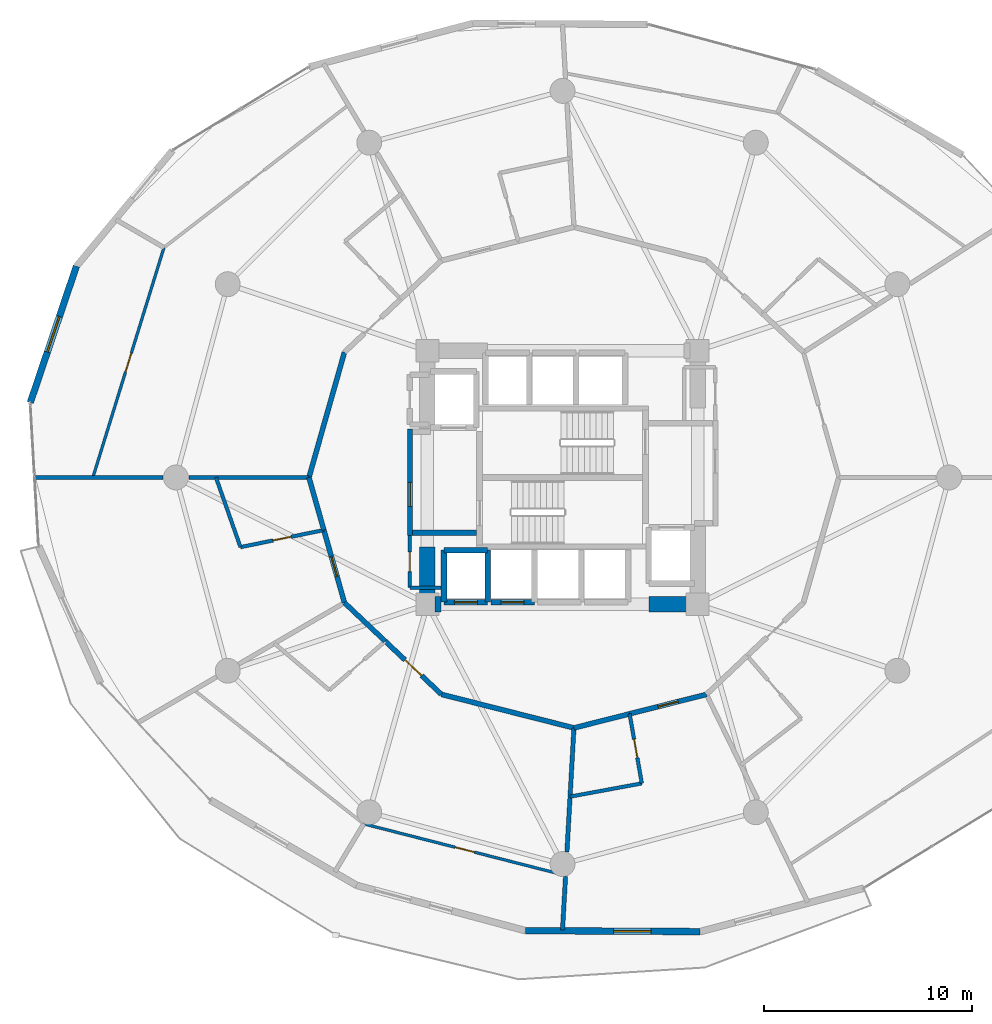
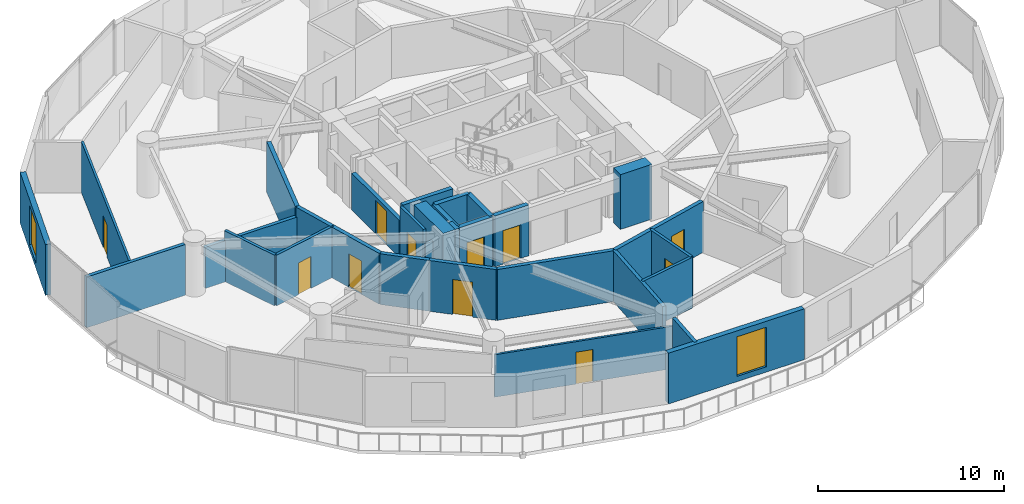
# One storey, part 17 of 23: 32 walls, 11 doors, 2 windows, 13 openings.
"""IFC4 building model written with IfcOpenShell, lengths in metres."""

from ifc_helpers import new_model, si_unit, direction, frame, frame_2d, origin, place, context, subcontext, project, spatial, rectangle, extrude, material, layer, layer_set, type_object, element, fill, save


model = new_model("IFC4")

# Units and contexts
model_context = context("Model", 3, precision=1e-05, world=origin(), true_north=direction((0.0, 1.0)))
body_context = subcontext(model_context, "Body", "Model", "MODEL_VIEW")
ifc_project = project(units=[si_unit("LENGTHUNIT", "METRE"), si_unit("AREAUNIT", "SQUARE_METRE"), si_unit("VOLUMEUNIT", "CUBIC_METRE"), si_unit("PLANEANGLEUNIT", "RADIAN"), si_unit("MASSUNIT", "GRAM", prefix="KILO")], contexts=[model_context])

# Site, building, storey
site_placement = place(None, origin())
site = spatial("IfcSite", under=ifc_project, at=site_placement, CompositionType="ELEMENT")
building_placement = place(site_placement, origin())
building = spatial("IfcBuilding", under=site, at=building_placement, Name="Solvirekh Grand Hotel", CompositionType="ELEMENT")
storey_placement = place(building_placement, frame((0.0, 0.0, 39.199951171875)))
storey = spatial("IfcBuildingStorey", under=building, at=storey_placement, Name="L08", CompositionType="ELEMENT", Elevation=39.199951171875)

# Wall, opening, door
ifc_material_1 = material(Name="Concrete C40/50", Category="concrete")
ifc_layer_1 = layer(ifc_material_1, 0.280029296875)
ifc_layer_set_1 = layer_set([ifc_layer_1], Name="Concrete C40/50")
wall_type_1 = type_object("IfcWallType", Name="CoreShaftWall_RC280", PredefinedType="SOLIDWALL", material=ifc_layer_set_1)
wall_1_placement = place(storey_placement, frame((-5.699951171875, -6.0, 0.0), z_axis=(0.0, 0.0, 1.0), x_axis=(1.0, 0.0, 0.0)))
wall_1 = element("IfcWall", 1, at=wall_1_placement, inside=storey, type_object=wall_type_1, Name="L08 LP-1 hoistway S wall", PredefinedType="SOLIDWALL", context=body_context, shape_type="SweptSolid", body=[
    extrude(rectangle(XDim=2.099853515625, YDim=0.280029296875, at=frame_2d((1.0498046875, 0.0))), origin(), (0.0, 0.0, 1.0), 3.340087890625),
])
opening_1_placement = place(wall_1_placement, frame((0.5, 0.0, 0.0)))
opening_1 = element("IfcOpeningElement", 2, at=opening_1_placement, cuts=wall_1, Name="Opening LD01", PredefinedType="OPENING", context=body_context, shape_type="SweptSolid", body=[
    extrude(rectangle(XDim=1.10009765625, YDim=2.199951171875, at=frame_2d((0.550048828125, 1.10009765625))), frame((0.0, 0.14990234375, 0.0), z_axis=(0.0, -1.0, 0.0), x_axis=(1.0, 0.0, 0.0)), (0.0, 0.0, 1.0), 0.300048828125),
])
ifc_material_2 = material(Name="Fire-Rated Steel Door Assembly", Category="steel")
door_type_1 = type_object("IfcDoorType", Name="Door_LiftLanding_1100X2200", OperationType="SLIDING_TO_LEFT", PredefinedType="DOOR", material=ifc_material_2)
door_1_placement = place(opening_1_placement, origin())
door_1 = element("IfcDoor", 3, at=door_1_placement, inside=storey, type_object=door_type_1, Name="L08 LP-1 sliding lift landing door", OperationType="SLIDING_TO_LEFT", OverallHeight=2.199951171875, OverallWidth=1.10009765625, PredefinedType="DOOR", context=body_context, shape_type="SweptSolid", body=[
    extrude(rectangle(XDim=1.10009765625, YDim=2.199951171875, at=frame_2d((0.550048828125, 1.10009765625))), frame((0.0, 0.02490234375, 0.0), z_axis=(0.0, -1.0, 0.0), x_axis=(1.0, 0.0, 0.0)), (0.0, 0.0, 1.0), 0.050048828125),
])
fill(opening_1, door_1)

# Walls
wall_2_placement = place(storey_placement, frame((-3.60009765625, -3.5, 0.0), z_axis=(0.0, 0.0, 1.0), x_axis=(-1.0, 0.0, 0.0)))
element("IfcWall", 4, at=wall_2_placement, inside=storey, type_object=wall_type_1, Name="L08 LP-1 hoistway N wall", PredefinedType="SOLIDWALL", context=body_context, shape_type="SweptSolid", body=[
    extrude(rectangle(XDim=2.099853515625, YDim=0.280029296875, at=frame_2d((1.0498046875, 0.0))), origin(), (0.0, 0.0, 1.0), 3.340087890625),
])
for number, where, z_axis, x_axis, name in (
    (5, (-5.699951171875, -3.5, 0.0), (0.0, 0.0, 1.0), (0.0, -1.0, 0.0), "L08 LP-1 hoistway W wall"),
    (6, (-3.60009765625, -6.0, 0.0), (0.0, 0.0, 1.0), (0.0, 1.0, 0.0), "L08 LP-1 hoistway E wall"),
):
    element("IfcWall", number, at=place(storey_placement, frame(where, z_axis=z_axis, x_axis=x_axis)), inside=storey, type_object=wall_type_1, Name=name, PredefinedType="SOLIDWALL", context=body_context, shape_type="SweptSolid", body=[
        extrude(rectangle(XDim=2.5, YDim=0.280029296875, at=frame_2d((1.25, 0.0))), origin(), (0.0, 0.0, 1.0), 3.340087890625),
    ])

# Wall, opening, door
wall_3_placement = place(storey_placement, frame((-3.449951171875, -6.0, 0.0), z_axis=(0.0, 0.0, 1.0), x_axis=(1.0, 0.0, 0.0)))
wall_3 = element("IfcWall", 7, at=wall_3_placement, inside=storey, type_object=wall_type_1, Name="L08 LP-2 hoistway S wall", PredefinedType="SOLIDWALL", context=body_context, shape_type="SweptSolid", body=[
    extrude(rectangle(XDim=2.099853515625, YDim=0.280029296875, at=frame_2d((1.0498046875, 0.0))), origin(), (0.0, 0.0, 1.0), 3.340087890625),
])
opening_2_placement = place(wall_3_placement, frame((0.5, 0.0, 0.0)))
opening_2 = element("IfcOpeningElement", 8, at=opening_2_placement, cuts=wall_3, Name="Opening LD01", PredefinedType="OPENING", context=body_context, shape_type="SweptSolid", body=[
    extrude(rectangle(XDim=1.10009765625, YDim=2.199951171875, at=frame_2d((0.550048828125, 1.10009765625))), frame((0.0, 0.14990234375, 0.0), z_axis=(0.0, -1.0, 0.0), x_axis=(1.0, 0.0, 0.0)), (0.0, 0.0, 1.0), 0.300048828125),
])
door_2_placement = place(opening_2_placement, origin())
door_2 = element("IfcDoor", 9, at=door_2_placement, inside=storey, type_object=door_type_1, Name="L08 LP-2 sliding lift landing door", OperationType="SLIDING_TO_LEFT", OverallHeight=2.199951171875, OverallWidth=1.10009765625, PredefinedType="DOOR", context=body_context, shape_type="SweptSolid", body=[
    extrude(rectangle(XDim=1.10009765625, YDim=2.199951171875, at=frame_2d((0.550048828125, 1.10009765625))), frame((0.0, 0.02490234375, 0.0), z_axis=(0.0, -1.0, 0.0), x_axis=(1.0, 0.0, 0.0)), (0.0, 0.0, 1.0), 0.050048828125),
])
fill(opening_2, door_2)

# Walls
ifc_material_3 = material(Name="Concrete C60/75", Category="concrete")
ifc_layer_2 = layer(ifc_material_3, 0.75)
ifc_layer_set_2 = layer_set([ifc_layer_2], Name="Concrete C60/75")
wall_type_2 = type_object("IfcWallType", Name="CoreWall_RC750", PredefinedType="SHEAR", material=ifc_layer_set_2)
wall_4_placement = place(storey_placement, frame((-6.125, -6.10009765625, 0.0), z_axis=(0.0, 0.0, 1.0), x_axis=(1.0, 0.0, 0.0)))
element("IfcWall", 10, at=wall_4_placement, inside=storey, type_object=wall_type_2, Name="L08 core corner shear wall SW-S", PredefinedType="SHEAR", context=body_context, shape_type="SweptSolid", body=[
    extrude(rectangle(XDim=0.27490234375, YDim=0.75, at=frame_2d((0.137451171875, 0.0))), origin(), (0.0, 0.0, 1.0), 3.60009765625),
])
wall_5_placement = place(storey_placement, frame((4.14990234375, -6.10009765625, 0.0), z_axis=(0.0, 0.0, 1.0), x_axis=(1.0, 0.0, 0.0)))
element("IfcWall", 11, at=wall_5_placement, inside=storey, type_object=wall_type_2, Name="L08 core corner shear wall SE-S", PredefinedType="SHEAR", context=body_context, shape_type="SweptSolid", body=[
    extrude(rectangle(XDim=1.97509765625, YDim=0.75, at=frame_2d((0.987548828125, 0.0))), origin(), (0.0, 0.0, 1.0), 3.60009765625),
])
wall_6_placement = place(storey_placement, frame((-6.5, -6.47509765625, 0.0), z_axis=(0.0, 0.0, 1.0), x_axis=(0.0, 1.0, 0.0)))
element("IfcWall", 12, at=wall_6_placement, inside=storey, type_object=wall_type_2, Name="L08 core corner shear wall WS-W", PredefinedType="SHEAR", context=body_context, shape_type="SweptSolid", body=[
    extrude(rectangle(XDim=3.125, YDim=0.75, at=frame_2d((1.5625, 0.0))), origin(), (0.0, 0.0, 1.0), 3.60009765625),
])

# Wall, opening, window
ifc_material_4 = material(Name="Precast concrete C45/55", Category="concrete")
ifc_layer_3 = layer(ifc_material_4, 0.320068359375)
ifc_layer_set_3 = layer_set([ifc_layer_3], Name="Precast concrete C45/55")
wall_type_3 = type_object("IfcWallType", Name="ExtLobbyWall_RC320", PredefinedType="SOLIDWALL", material=ifc_layer_set_3)
wall_7_placement = place(storey_placement, frame((-25.60791015625, 3.60791015625, 0.0), z_axis=(0.0, 0.0, 1.0), x_axis=(0.320254087544, 0.947331683948, 0.0)))
wall_7 = element("IfcWall", 13, at=wall_7_placement, inside=storey, type_object=wall_type_3, Name="L08 exterior structural wall chord 10", PredefinedType="SOLIDWALL", context=body_context, shape_type="SweptSolid", body=[
    extrude(rectangle(XDim=6.92578125, YDim=0.320068359375, at=frame_2d((3.462890625, 0.0))), origin(), (0.0, 0.0, 1.0), 3.340087890625),
])
opening_3_placement = place(wall_7_placement, frame((2.56298828125, 0.0, 0.35009765625)))
opening_3 = element("IfcOpeningElement", 14, at=opening_3_placement, cuts=wall_7, Name="Opening W02", PredefinedType="OPENING", context=body_context, shape_type="SweptSolid", body=[
    extrude(rectangle(XDim=1.800048828125, YDim=2.60009765625, at=frame_2d((0.89990234375, 1.300048828125))), frame((0.0, 0.169921875, 0.0), z_axis=(0.0, -1.0, 0.0), x_axis=(1.0, 0.0, 0.0)), (0.0, 0.0, 1.0), 0.340087890625),
])
ifc_material_5 = material(Name="Low-E Tinted Bronze Laminated Glass", Category="aluminium")
window_type = type_object("IfcWindowType", Name="Win_LobbyExt_1800X2600", PartitioningType="SINGLE_PANEL", PredefinedType="WINDOW", material=ifc_material_5)
window_1_placement = place(opening_3_placement, origin())
window_1 = element("IfcWindow", 15, at=window_1_placement, inside=storey, type_object=window_type, Name="L08 panoramic bronze-framed window 10", OverallHeight=2.60009765625, OverallWidth=1.800048828125, PartitioningType="SINGLE_PANEL", PredefinedType="WINDOW", context=body_context, shape_type="SweptSolid", body=[
    extrude(rectangle(XDim=1.800048828125, YDim=2.60009765625, at=frame_2d((0.89990234375, 1.300048828125))), frame((0.0, 0.030029296875, 0.0), z_axis=(0.0, -1.0, 0.0), x_axis=(1.0, 0.0, 0.0)), (0.0, 0.0, 1.0), 0.06005859375),
])
fill(opening_3, window_1)

wall_8_placement = place(storey_placement, frame((6.6220703125, -21.85107421875, 0.0), z_axis=(0.0, 0.0, 1.0), x_axis=(-0.999983655859, 0.005717343284, 0.0)))
wall_8 = element("IfcWall", 16, at=wall_8_placement, inside=storey, type_object=wall_type_3, Name="L08 exterior structural wall chord 16", PredefinedType="SOLIDWALL", context=body_context, shape_type="SweptSolid", body=[
    extrude(rectangle(XDim=8.412353515625, YDim=0.320068359375, at=frame_2d((4.2060546875, 0.0))), origin(), (0.0, 0.0, 1.0), 3.340087890625),
])
opening_4_placement = place(wall_8_placement, frame((2.361083984375, 0.0, 0.35009765625)))
opening_4 = element("IfcOpeningElement", 17, at=opening_4_placement, cuts=wall_8, Name="Opening W02", PredefinedType="OPENING", context=body_context, shape_type="SweptSolid", body=[
    extrude(rectangle(XDim=1.800048828125, YDim=2.60009765625, at=frame_2d((0.89990234375, 1.300048828125))), frame((0.0, 0.169921875, 0.0), z_axis=(0.0, -1.0, 0.0), x_axis=(1.0, 0.0, 0.0)), (0.0, 0.0, 1.0), 0.340087890625),
])
window_2_placement = place(opening_4_placement, origin())
window_2 = element("IfcWindow", 18, at=window_2_placement, inside=storey, type_object=window_type, Name="L08 panoramic bronze-framed window 16", OverallHeight=2.60009765625, OverallWidth=1.800048828125, PartitioningType="SINGLE_PANEL", PredefinedType="WINDOW", context=body_context, shape_type="SweptSolid", body=[
    extrude(rectangle(XDim=1.800048828125, YDim=2.60009765625, at=frame_2d((0.89990234375, 1.300048828125))), frame((0.0, 0.030029296875, 0.0), z_axis=(0.0, -1.0, 0.0), x_axis=(1.0, 0.0, 0.0)), (0.0, 0.0, 1.0), 0.06005859375),
])
fill(opening_4, window_2)

# Wall
ifc_material_6 = material(Name="Acoustic Gypsum Partition Assembly")
ifc_layer_4 = layer(ifc_material_6, 0.1650390625)
ifc_layer_set_4 = layer_set([ifc_layer_4], Name="Acoustic Gypsum Partition Assembly")
wall_type_4 = type_object("IfcWallType", Name="Part_BOH_165", PredefinedType="PARTITIONING", material=ifc_layer_set_4)
wall_9_placement = place(storey_placement, frame((-7.35009765625, -5.300048828125, 0.0), z_axis=(0.0, 0.0, 1.0), x_axis=(1.0, 0.0, 0.0)))
element("IfcWall", 19, at=wall_9_placement, inside=storey, type_object=wall_type_4, Name="L08 L08 Core Linen Store wall 1", PredefinedType="PARTITIONING", context=body_context, shape_type="SweptSolid", body=[
    extrude(rectangle(XDim=1.5, YDim=0.1650390625, at=frame_2d((0.75, 0.0))), origin(), (0.0, 0.0, 1.0), 2.425048828125),
])

# Wall, opening, door
wall_10_placement = place(storey_placement, frame((-7.35009765625, -2.800048828125, 0.0), z_axis=(0.0, 0.0, 1.0), x_axis=(0.0, -1.0, 0.0)))
wall_10 = element("IfcWall", 20, at=wall_10_placement, inside=storey, type_object=wall_type_4, Name="L08 L08 Core Linen Store wall 4", PredefinedType="PARTITIONING", context=body_context, shape_type="SweptSolid", body=[
    extrude(rectangle(XDim=2.5, YDim=0.1650390625, at=frame_2d((1.25, 0.0))), origin(), (0.0, 0.0, 1.0), 3.340087890625),
])
opening_5_placement = place(wall_10_placement, frame((0.77490234375, 0.0, 0.0)))
opening_5 = element("IfcOpeningElement", 21, at=opening_5_placement, cuts=wall_10, Name="Opening D10", PredefinedType="OPENING", context=body_context, shape_type="SweptSolid", body=[
    extrude(rectangle(XDim=0.949951171875, YDim=2.10009765625, at=frame_2d((0.47509765625, 1.050048828125))), frame((0.0, 0.092529296875, 0.0), z_axis=(0.0, -1.0, 0.0), x_axis=(1.0, 0.0, 0.0)), (0.0, 0.0, 1.0), 0.18505859375),
])
ifc_material_7 = material(Name="Anodized Bronze Aluminium 6063-T6", Category="aluminium")
door_type_2 = type_object("IfcDoorType", Name="Door_RoomInt_950X2100", OperationType="NOTDEFINED", PredefinedType="DOOR", material=ifc_material_7)
door_3_placement = place(opening_5_placement, origin())
door_3 = element("IfcDoor", 22, at=door_3_placement, inside=storey, type_object=door_type_2, Name="L08 L08 Core Linen Store door", OperationType="SINGLE_SWING_LEFT", OverallHeight=2.10009765625, OverallWidth=0.949951171875, PredefinedType="DOOR", context=body_context, shape_type="SweptSolid", body=[
    extrude(rectangle(XDim=0.949951171875, YDim=2.10009765625, at=frame_2d((0.47509765625, 1.050048828125))), frame((0.0, 0.02490234375, 0.0), z_axis=(0.0, -1.0, 0.0), x_axis=(1.0, 0.0, 0.0)), (0.0, 0.0, 1.0), 0.050048828125),
])
fill(opening_5, door_3)

ifc_layer_5 = layer(ifc_material_6, 0.239990234375)
ifc_layer_set_5 = layer_set([ifc_layer_5], Name="Acoustic Gypsum Partition Assembly")
wall_type_5 = type_object("IfcWallType", Name="Part_Corridor_240", PredefinedType="PARTITIONING", material=ifc_layer_set_5)
wall_11_placement = place(storey_placement, frame((-7.35009765625, -2.780029296875, 0.0), z_axis=(0.0, 0.0, 1.0), x_axis=(0.0, 1.0, 0.0)))
wall_11 = element("IfcWall", 23, at=wall_11_placement, inside=storey, type_object=wall_type_5, Name="L08 west firefighting lobby smoke screen wall", PredefinedType="PARTITIONING", context=body_context, shape_type="SweptSolid", body=[
    extrude(rectangle(XDim=5.1201171875, YDim=0.239990234375, at=frame_2d((2.56005859375, 0.0))), origin(), (0.0, 0.0, 1.0), 2.425048828125),
])
opening_6_placement = place(wall_11_placement, frame((1.388916015625, 0.0, 0.0)))
opening_6 = element("IfcOpeningElement", 24, at=opening_6_placement, cuts=wall_11, Name="Opening D06", PredefinedType="OPENING", context=body_context, shape_type="SweptSolid", body=[
    extrude(rectangle(XDim=1.14990234375, YDim=2.199951171875, at=frame_2d((0.574951171875, 1.10009765625))), frame((0.0, 0.1298828125, 0.0), z_axis=(0.0, -1.0, 0.0), x_axis=(1.0, 0.0, 0.0)), (0.0, 0.0, 1.0), 0.260009765625),
])
door_type_3 = type_object("IfcDoorType", Name="Door_FFLobby_1150X2200", OperationType="NOTDEFINED", PredefinedType="DOOR", material=ifc_material_2)
door_4_placement = place(opening_6_placement, origin())
door_4 = element("IfcDoor", 25, at=door_4_placement, inside=storey, type_object=door_type_3, Name="L08 west firefighting lobby smoke door", OperationType="SINGLE_SWING_RIGHT", OverallHeight=2.199951171875, OverallWidth=1.14990234375, PredefinedType="DOOR", context=body_context, shape_type="SweptSolid", body=[
    extrude(rectangle(XDim=1.14990234375, YDim=2.199951171875, at=frame_2d((0.574951171875, 1.10009765625))), frame((0.0, 0.02490234375, 0.0), z_axis=(0.0, -1.0, 0.0), x_axis=(1.0, 0.0, 0.0)), (0.0, 0.0, 1.0), 0.050048828125),
])
fill(opening_6, door_4)

# Walls
wall_12_placement = place(storey_placement, frame((-10.491943359375, 6.02490234375, 0.0), z_axis=(0.0, 0.0, 1.0), x_axis=(-0.272743314702, -0.962086838225, 0.0)))
element("IfcWall", 26, at=wall_12_placement, inside=storey, type_object=wall_type_5, Name="L08 Executive Suite 1003 Living Room corridor wall 1", PredefinedType="PARTITIONING", context=body_context, shape_type="SweptSolid", body=[
    extrude(rectangle(XDim=6.26220703125, YDim=0.239990234375, at=frame_2d((3.131103515625, 0.0))), origin(), (0.0, 0.0, 1.0), 3.340087890625),
])
wall_13_placement = place(storey_placement, frame((-12.199951171875, 0.0, 0.0), z_axis=(0.0, 0.0, 1.0), x_axis=(0.272672757197, -0.962106837873, 0.0)))
element("IfcWall", 27, at=wall_13_placement, inside=storey, type_object=wall_type_5, Name="L08 En-suite Bathroom 1004 corridor backing wall", PredefinedType="PARTITIONING", context=body_context, shape_type="SweptSolid", body=[
    extrude(rectangle(XDim=2.629638671875, YDim=0.239990234375, at=frame_2d((1.31494140625, 0.0))), origin(), (0.0, 0.0, 1.0), 3.340087890625),
])

# Wall, opening, door
wall_14_placement = place(storey_placement, frame((-11.48291015625, -2.530029296875, 0.0), z_axis=(0.0, 0.0, 1.0), x_axis=(0.272794390365, -0.96207235725, 0.0)))
wall_14 = element("IfcWall", 28, at=wall_14_placement, inside=storey, type_object=wall_type_5, Name="L08 Deluxe Guestroom 1004 entrance wall", PredefinedType="PARTITIONING", context=body_context, shape_type="SweptSolid", body=[
    extrude(rectangle(XDim=3.632568359375, YDim=0.239990234375, at=frame_2d((1.81640625, 0.0))), origin(), (0.0, 0.0, 1.0), 3.340087890625),
])
opening_7_placement = place(wall_14_placement, frame((1.31591796875, 0.0, 0.0)))
opening_7 = element("IfcOpeningElement", 29, at=opening_7_placement, cuts=wall_14, Name="Opening D07", PredefinedType="OPENING", context=body_context, shape_type="SweptSolid", body=[
    extrude(rectangle(XDim=1.0, YDim=2.199951171875, at=frame_2d((0.5, 1.10009765625))), frame((0.0, 0.1298828125, 0.0), z_axis=(0.0, -1.0, 0.0), x_axis=(1.0, 0.0, 0.0)), (0.0, 0.0, 1.0), 0.260009765625),
])
door_type_4 = type_object("IfcDoorType", Name="Door_GuestEntry_1000X2200", OperationType="NOTDEFINED", PredefinedType="DOOR", material=ifc_material_2)
door_5_placement = place(opening_7_placement, origin())
door_5 = element("IfcDoor", 30, at=door_5_placement, inside=storey, type_object=door_type_4, Name="L08 Deluxe Guestroom 1004 entrance door", OperationType="SINGLE_SWING_RIGHT", OverallHeight=2.199951171875, OverallWidth=1.0, PredefinedType="DOOR", context=body_context, shape_type="SweptSolid", body=[
    extrude(rectangle(XDim=1.0, YDim=2.199951171875, at=frame_2d((0.5, 1.10009765625))), frame((0.0, 0.02490234375, 0.0), z_axis=(0.0, -1.0, 0.0), x_axis=(1.0, 0.0, 0.0)), (0.0, 0.0, 1.0), 0.050048828125),
])
fill(opening_7, door_5)

# Walls
wall_15_placement = place(storey_placement, frame((-10.491943359375, -6.02490234375, 0.0), z_axis=(0.0, 0.0, 1.0), x_axis=(0.726651583854, -0.687006168591, 0.0)))
element("IfcWall", 31, at=wall_15_placement, inside=storey, type_object=wall_type_5, Name="L08 En-suite Bathroom 1005 corridor backing wall", PredefinedType="PARTITIONING", context=body_context, shape_type="SweptSolid", body=[
    extrude(rectangle(XDim=2.697265625, YDim=0.239990234375, at=frame_2d((1.3486328125, 0.0))), origin(), (0.0, 0.0, 1.0), 3.340087890625),
])
wall_16_placement = place(storey_placement, frame((-5.824951171875, -10.43603515625, 0.0), z_axis=(0.0, 0.0, 1.0), x_axis=(0.969413132073, -0.245434674331, 0.0)))
element("IfcWall", 32, at=wall_16_placement, inside=storey, type_object=wall_type_5, Name="L08 Executive Suite 1005 Living Room corridor wall 1", PredefinedType="PARTITIONING", context=body_context, shape_type="SweptSolid", body=[
    extrude(rectangle(XDim=6.576171875, YDim=0.239990234375, at=frame_2d((3.2880859375, 0.0))), origin(), (0.0, 0.0, 1.0), 3.340087890625),
])

# Wall, opening, door
wall_17_placement = place(storey_placement, frame((-8.531982421875, -7.8779296875, 0.0), z_axis=(0.0, 0.0, 1.0), x_axis=(0.726816794063, -0.686831382413, 0.0)))
wall_17 = element("IfcWall", 33, at=wall_17_placement, inside=storey, type_object=wall_type_5, Name="L08 Executive Suite 1005 Living Room entrance wall", PredefinedType="PARTITIONING", context=body_context, shape_type="SweptSolid", body=[
    extrude(rectangle(XDim=3.724609375, YDim=0.239990234375, at=frame_2d((1.8623046875, 0.0))), origin(), (0.0, 0.0, 1.0), 3.340087890625),
])
opening_8_placement = place(wall_17_placement, frame((1.31201171875, 0.0, 0.0)))
opening_8 = element("IfcOpeningElement", 34, at=opening_8_placement, cuts=wall_17, Name="Opening D08", PredefinedType="OPENING", context=body_context, shape_type="SweptSolid", body=[
    extrude(rectangle(XDim=1.10009765625, YDim=2.300048828125, at=frame_2d((0.550048828125, 1.14990234375))), frame((0.0, 0.1298828125, 0.0), z_axis=(0.0, -1.0, 0.0), x_axis=(1.0, 0.0, 0.0)), (0.0, 0.0, 1.0), 0.260009765625),
])
door_type_5 = type_object("IfcDoorType", Name="Door_SuiteEntry_1100X2300", OperationType="NOTDEFINED", PredefinedType="DOOR", material=ifc_material_2)
door_6_placement = place(opening_8_placement, origin())
door_6 = element("IfcDoor", 35, at=door_6_placement, inside=storey, type_object=door_type_5, Name="L08 Executive Suite 1005 Living Room entrance door", OperationType="SINGLE_SWING_RIGHT", OverallHeight=2.300048828125, OverallWidth=1.10009765625, PredefinedType="DOOR", context=body_context, shape_type="SweptSolid", body=[
    extrude(rectangle(XDim=1.10009765625, YDim=2.300048828125, at=frame_2d((0.550048828125, 1.14990234375))), frame((0.0, 0.02490234375, 0.0), z_axis=(0.0, -1.0, 0.0), x_axis=(1.0, 0.0, 0.0)), (0.0, 0.0, 1.0), 0.050048828125),
])
fill(opening_8, door_6)

# Wall
wall_18_placement = place(storey_placement, frame((0.550048828125, -12.050048828125, 0.0), z_axis=(0.0, 0.0, 1.0), x_axis=(0.969415576054, 0.245425020941, 0.0)))
element("IfcWall", 36, at=wall_18_placement, inside=storey, type_object=wall_type_5, Name="L08 En-suite Bathroom 1006 corridor backing wall", PredefinedType="PARTITIONING", context=body_context, shape_type="SweptSolid", body=[
    extrude(rectangle(XDim=2.762451171875, YDim=0.239990234375, at=frame_2d((1.38134765625, 0.0))), origin(), (0.0, 0.0, 1.0), 3.340087890625),
])

# Wall, opening, door
wall_19_placement = place(storey_placement, frame((3.22802734375, -11.3720703125, 0.0), z_axis=(0.0, 0.0, 1.0), x_axis=(0.969411361696, 0.245441666826, 0.0)))
wall_19 = element("IfcWall", 37, at=wall_19_placement, inside=storey, type_object=wall_type_5, Name="L08 Deluxe Guestroom 1006 entrance wall", PredefinedType="PARTITIONING", context=body_context, shape_type="SweptSolid", body=[
    extrude(rectangle(XDim=3.813720703125, YDim=0.239990234375, at=frame_2d((1.90673828125, 0.0))), origin(), (0.0, 0.0, 1.0), 3.340087890625),
])
opening_9_placement = place(wall_19_placement, frame((1.406982421875, 0.0, 0.0)))
opening_9 = element("IfcOpeningElement", 38, at=opening_9_placement, cuts=wall_19, Name="Opening D07", PredefinedType="OPENING", context=body_context, shape_type="SweptSolid", body=[
    extrude(rectangle(XDim=1.0, YDim=2.199951171875, at=frame_2d((0.5, 1.10009765625))), frame((0.0, 0.1298828125, 0.0), z_axis=(0.0, -1.0, 0.0), x_axis=(1.0, 0.0, 0.0)), (0.0, 0.0, 1.0), 0.260009765625),
])
door_7_placement = place(opening_9_placement, origin())
door_7 = element("IfcDoor", 39, at=door_7_placement, inside=storey, type_object=door_type_4, Name="L08 Deluxe Guestroom 1006 entrance door", OperationType="SINGLE_SWING_RIGHT", OverallHeight=2.199951171875, OverallWidth=1.0, PredefinedType="DOOR", context=body_context, shape_type="SweptSolid", body=[
    extrude(rectangle(XDim=1.0, YDim=2.199951171875, at=frame_2d((0.5, 1.10009765625))), frame((0.0, 0.02490234375, 0.0), z_axis=(0.0, -1.0, 0.0), x_axis=(1.0, 0.0, 0.0)), (0.0, 0.0, 1.0), 0.050048828125),
])
fill(opening_9, door_7)

# Wall
ifc_layer_6 = layer(ifc_material_6, 0.260009765625)
ifc_layer_set_6 = layer_set([ifc_layer_6], Name="Acoustic Gypsum Partition Assembly")
wall_type_6 = type_object("IfcWallType", Name="Part_LobbyFF_260", PredefinedType="PARTITIONING", material=ifc_layer_set_6)
wall_20_placement = place(storey_placement, frame((-7.22509765625, -2.64990234375, 0.0), z_axis=(0.0, 0.0, 1.0), x_axis=(1.0, 0.0, 0.0)))
element("IfcWall", 40, at=wall_20_placement, inside=storey, type_object=wall_type_6, Name="L08 west firefighting lobby south partition", PredefinedType="PARTITIONING", context=body_context, shape_type="SweptSolid", body=[
    extrude(rectangle(XDim=3.09521484375, YDim=0.260009765625, at=frame_2d((1.547607421875, 0.0))), origin(), (0.0, 0.0, 1.0), 3.340087890625),
])

# Wall, opening, door
ifc_layer_7 = layer(ifc_material_6, 0.135009765625)
ifc_layer_set_7 = layer_set([ifc_layer_7], Name="Acoustic Gypsum Partition Assembly")
wall_type_7 = type_object("IfcWallType", Name="Part_RoomInt_135", PredefinedType="PARTITIONING", material=ifc_layer_set_7)
wall_21_placement = place(storey_placement, frame((-19.175048828125, 11.06396484375, 0.0), z_axis=(0.0, 0.0, 1.0), x_axis=(-0.295395137922, -0.955375168451, 0.0)))
wall_21 = element("IfcWall", 41, at=wall_21_placement, inside=storey, type_object=wall_type_7, Name="L08 Executive Suite 1003 Panorama Suite Study bedroom screen wall", PredefinedType="PARTITIONING", context=body_context, shape_type="SweptSolid", body=[
    extrude(rectangle(XDim=11.580810546875, YDim=0.135009765625, at=frame_2d((5.79052734375, 0.0))), origin(), (0.0, 0.0, 1.0), 3.340087890625),
])
opening_10_placement = place(wall_21_placement, frame((5.31494140625, 0.0, 0.0)))
opening_10 = element("IfcOpeningElement", 42, at=opening_10_placement, cuts=wall_21, Name="Opening D10", PredefinedType="OPENING", context=body_context, shape_type="SweptSolid", body=[
    extrude(rectangle(XDim=0.949951171875, YDim=2.10009765625, at=frame_2d((0.47509765625, 1.050048828125))), frame((0.0, 0.07763671875, 0.0), z_axis=(0.0, -1.0, 0.0), x_axis=(1.0, 0.0, 0.0)), (0.0, 0.0, 1.0), 0.155029296875),
])
door_8_placement = place(opening_10_placement, origin())
door_8 = element("IfcDoor", 43, at=door_8_placement, inside=storey, type_object=door_type_2, Name="L08 Executive Suite 1003 Panorama Suite Study master bedroom door", OperationType="SINGLE_SWING_RIGHT", OverallHeight=2.10009765625, OverallWidth=0.949951171875, PredefinedType="DOOR", context=body_context, shape_type="SweptSolid", body=[
    extrude(rectangle(XDim=0.949951171875, YDim=2.10009765625, at=frame_2d((0.47509765625, 1.050048828125))), frame((0.0, 0.02490234375, 0.0), z_axis=(0.0, -1.0, 0.0), x_axis=(1.0, 0.0, 0.0)), (0.0, 0.0, 1.0), 0.050048828125),
])
fill(opening_10, door_8)

wall_22_placement = place(storey_placement, frame((-9.568115234375, -16.666015625, 0.0), z_axis=(0.0, 0.0, 1.0), x_axis=(0.968894117995, -0.247475631354, 0.0)))
wall_22 = element("IfcWall", 44, at=wall_22_placement, inside=storey, type_object=wall_type_7, Name="L08 Executive Suite 1005 Panorama Suite Study bedroom screen wall", PredefinedType="PARTITIONING", context=body_context, shape_type="SweptSolid", body=[
    extrude(rectangle(XDim=10.029052734375, YDim=0.135009765625, at=frame_2d((5.0146484375, 0.0))), origin(), (0.0, 0.0, 1.0), 2.7919921875),
])
opening_11_placement = place(wall_22_placement, frame((4.5390625, 0.0, 0.0)))
opening_11 = element("IfcOpeningElement", 45, at=opening_11_placement, cuts=wall_22, Name="Opening D10", PredefinedType="OPENING", context=body_context, shape_type="SweptSolid", body=[
    extrude(rectangle(XDim=0.949951171875, YDim=2.10009765625, at=frame_2d((0.47509765625, 1.050048828125))), frame((0.0, 0.07763671875, 0.0), z_axis=(0.0, -1.0, 0.0), x_axis=(1.0, 0.0, 0.0)), (0.0, 0.0, 1.0), 0.155029296875),
])
door_9_placement = place(opening_11_placement, origin())
door_9 = element("IfcDoor", 46, at=door_9_placement, inside=storey, type_object=door_type_2, Name="L08 Executive Suite 1005 Panorama Suite Study master bedroom door", OperationType="SINGLE_SWING_RIGHT", OverallHeight=2.10009765625, OverallWidth=0.949951171875, PredefinedType="DOOR", context=body_context, shape_type="SweptSolid", body=[
    extrude(rectangle(XDim=0.949951171875, YDim=2.10009765625, at=frame_2d((0.47509765625, 1.050048828125))), frame((0.0, 0.02490234375, 0.0), z_axis=(0.0, -1.0, 0.0), x_axis=(1.0, 0.0, 0.0)), (0.0, 0.0, 1.0), 0.050048828125),
])
fill(opening_11, door_9)

# Walls
ifc_layer_8 = layer(ifc_material_6, 0.2099609375)
ifc_layer_set_8 = layer_set([ifc_layer_8], Name="Acoustic Gypsum Partition Assembly")
wall_type_8 = type_object("IfcWallType", Name="Part_SuiteDemise_210", PredefinedType="PARTITIONING", material=ifc_layer_set_8)
wall_23_placement = place(storey_placement, frame((-12.199951171875, 0.0, 0.0), z_axis=(0.0, 0.0, 1.0), x_axis=(-1.0, 0.0, 0.0)))
element("IfcWall", 47, at=wall_23_placement, inside=storey, type_object=wall_type_8, Name="L08 suite radial wall 7 (A)", PredefinedType="PARTITIONING", context=body_context, shape_type="SweptSolid", body=[
    extrude(rectangle(XDim=5.780029296875, YDim=0.2099609375, at=frame_2d((2.89013671875, 0.0))), origin(), (0.0, 0.0, 1.0), 2.708984375),
])
wall_24_placement = place(storey_placement, frame((-19.219970703125, 0.0, 0.0), z_axis=(0.0, 0.0, 1.0), x_axis=(-1.0, 0.0, 0.0)))
element("IfcWall", 48, at=wall_24_placement, inside=storey, type_object=wall_type_8, Name="L08 suite radial wall 7 (B)", PredefinedType="PARTITIONING", context=body_context, shape_type="SweptSolid", body=[
    extrude(rectangle(XDim=6.138916015625, YDim=0.2099609375, at=frame_2d((3.0693359375, 0.0))), origin(), (0.0, 0.0, 1.0), 3.340087890625),
])
wall_25_placement = place(storey_placement, frame((0.550048828125, -12.050048828125, 0.0), z_axis=(0.0, 0.0, 1.0), x_axis=(-0.056567082794, -0.998398800652, 0.0)))
element("IfcWall", 49, at=wall_25_placement, inside=storey, type_object=wall_type_8, Name="L08 suite radial wall 10 (A)", PredefinedType="PARTITIONING", context=body_context, shape_type="SweptSolid", body=[
    extrude(rectangle(XDim=5.9775390625, YDim=0.2099609375, at=frame_2d((2.98876953125, 0.0))), origin(), (0.0, 0.0, 1.0), 3.340087890625),
])
wall_26_placement = place(storey_placement, frame((0.14501953125, -19.202880859375, 0.0), z_axis=(0.0, 0.0, 1.0), x_axis=(-0.056336717454, -0.998411825985, 0.0)))
element("IfcWall", 50, at=wall_26_placement, inside=storey, type_object=wall_type_8, Name="L08 suite radial wall 10 (B)", PredefinedType="PARTITIONING", context=body_context, shape_type="SweptSolid", body=[
    extrude(rectangle(XDim=2.57421875, YDim=0.2099609375, at=frame_2d((1.287109375, 0.0))), origin(), (0.0, 0.0, 1.0), 3.340087890625),
])
ifc_layer_9 = layer(ifc_material_6, 0.175048828125)
ifc_layer_set_9 = layer_set([ifc_layer_9], Name="Acoustic Gypsum Partition Assembly")
wall_type_9 = type_object("IfcWallType", Name="Plumb_Ensuite_175", PredefinedType="PLUMBINGWALL", material=ifc_layer_set_9)
wall_27_placement = place(storey_placement, frame((-16.674072265625, 0.0, 0.0), z_axis=(0.0, 0.0, 1.0), x_axis=(0.332094128013, -0.94324625106, 0.0)))
element("IfcWall", 51, at=wall_27_placement, inside=storey, type_object=wall_type_9, Name="L08 En-suite Bathroom 1004 outer plumbing wall", PredefinedType="PLUMBINGWALL", context=body_context, shape_type="SweptSolid", body=[
    extrude(rectangle(XDim=3.5537109375, YDim=0.175048828125, at=frame_2d((1.77685546875, 0.0))), origin(), (0.0, 0.0, 1.0), 3.340087890625),
])

# Wall, opening, door
wall_28_placement = place(storey_placement, frame((-11.48291015625, -2.530029296875, 0.0), z_axis=(0.0, 0.0, 1.0), x_axis=(-0.979638499871, -0.200769543433, 0.0)))
wall_28 = element("IfcWall", 52, at=wall_28_placement, inside=storey, type_object=wall_type_9, Name="L08 En-suite Bathroom 1004 entry plumbing wall", PredefinedType="PLUMBINGWALL", context=body_context, shape_type="SweptSolid", body=[
    extrude(rectangle(XDim=4.09423828125, YDim=0.175048828125, at=frame_2d((2.047119140625, 0.0))), origin(), (0.0, 0.0, 1.0), 3.340087890625),
])
opening_12_placement = place(wall_28_placement, frame((1.596923828125, 0.0, 0.0)))
opening_12 = element("IfcOpeningElement", 53, at=opening_12_placement, cuts=wall_28, Name="Opening D09", PredefinedType="OPENING", context=body_context, shape_type="SweptSolid", body=[
    extrude(rectangle(XDim=0.89990234375, YDim=2.10009765625, at=frame_2d((0.449951171875, 1.050048828125))), frame((0.0, 0.09765625, 0.0), z_axis=(0.0, -1.0, 0.0), x_axis=(1.0, 0.0, 0.0)), (0.0, 0.0, 1.0), 0.195068359375),
])
door_type_6 = type_object("IfcDoorType", Name="Door_Ensuite_900X2100", OperationType="NOTDEFINED", PredefinedType="DOOR", material=ifc_material_7)
door_10_placement = place(opening_12_placement, origin())
door_10 = element("IfcDoor", 54, at=door_10_placement, inside=storey, type_object=door_type_6, Name="L08 En-suite Bathroom 1004 door", OperationType="SINGLE_SWING_LEFT", OverallHeight=2.10009765625, OverallWidth=0.89990234375, PredefinedType="DOOR", context=body_context, shape_type="SweptSolid", body=[
    extrude(rectangle(XDim=0.89990234375, YDim=2.10009765625, at=frame_2d((0.449951171875, 1.050048828125))), frame((0.0, 0.02490234375, 0.0), z_axis=(0.0, -1.0, 0.0), x_axis=(1.0, 0.0, 0.0)), (0.0, 0.0, 1.0), 0.050048828125),
])
fill(opening_12, door_10)

# Wall
wall_29_placement = place(storey_placement, frame((0.363037109375, -15.35595703125, 0.0), z_axis=(0.0, 0.0, 1.0), x_axis=(0.983357535979, 0.18168091929, 0.0)))
element("IfcWall", 55, at=wall_29_placement, inside=storey, type_object=wall_type_9, Name="L08 En-suite Bathroom 1006 outer plumbing wall", PredefinedType="PLUMBINGWALL", context=body_context, shape_type="SweptSolid", body=[
    extrude(rectangle(XDim=3.51123046875, YDim=0.175048828125, at=frame_2d((1.755615234375, 0.0))), origin(), (0.0, 0.0, 1.0), 3.340087890625),
])

# Wall, opening, door
wall_30_placement = place(storey_placement, frame((3.22802734375, -11.3720703125, 0.0), z_axis=(0.0, 0.0, 1.0), x_axis=(0.173051440514, -0.984912787477, 0.0)))
wall_30 = element("IfcWall", 56, at=wall_30_placement, inside=storey, type_object=wall_type_9, Name="L08 En-suite Bathroom 1006 entry plumbing wall", PredefinedType="PLUMBINGWALL", context=body_context, shape_type="SweptSolid", body=[
    extrude(rectangle(XDim=3.397216796875, YDim=0.175048828125, at=frame_2d((1.69873046875, 0.0))), origin(), (0.0, 0.0, 1.0), 3.340087890625),
])
opening_13_placement = place(wall_30_placement, frame((1.2490234375, 0.0, 0.0)))
opening_13 = element("IfcOpeningElement", 57, at=opening_13_placement, cuts=wall_30, Name="Opening D09", PredefinedType="OPENING", context=body_context, shape_type="SweptSolid", body=[
    extrude(rectangle(XDim=0.89990234375, YDim=2.10009765625, at=frame_2d((0.449951171875, 1.050048828125))), frame((0.0, 0.09765625, 0.0), z_axis=(0.0, -1.0, 0.0), x_axis=(1.0, 0.0, 0.0)), (0.0, 0.0, 1.0), 0.195068359375),
])
door_11_placement = place(opening_13_placement, origin())
door_11 = element("IfcDoor", 58, at=door_11_placement, inside=storey, type_object=door_type_6, Name="L08 En-suite Bathroom 1006 door", OperationType="SINGLE_SWING_LEFT", OverallHeight=2.10009765625, OverallWidth=0.89990234375, PredefinedType="DOOR", context=body_context, shape_type="SweptSolid", body=[
    extrude(rectangle(XDim=0.89990234375, YDim=2.10009765625, at=frame_2d((0.449951171875, 1.050048828125))), frame((0.0, 0.02490234375, 0.0), z_axis=(0.0, -1.0, 0.0), x_axis=(1.0, 0.0, 0.0)), (0.0, 0.0, 1.0), 0.050048828125),
])
fill(opening_13, door_11)

save(model, "model.ifc")
